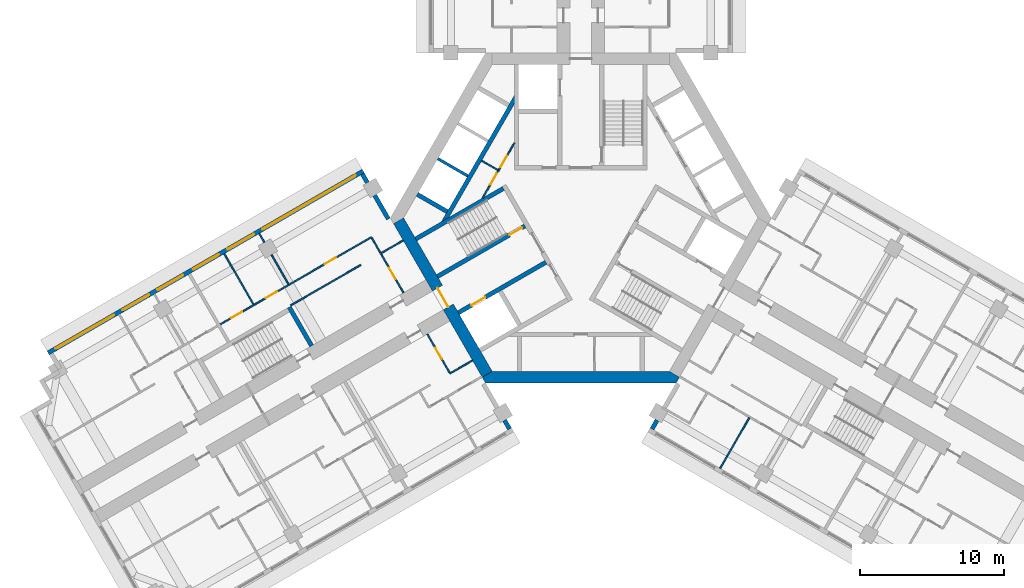
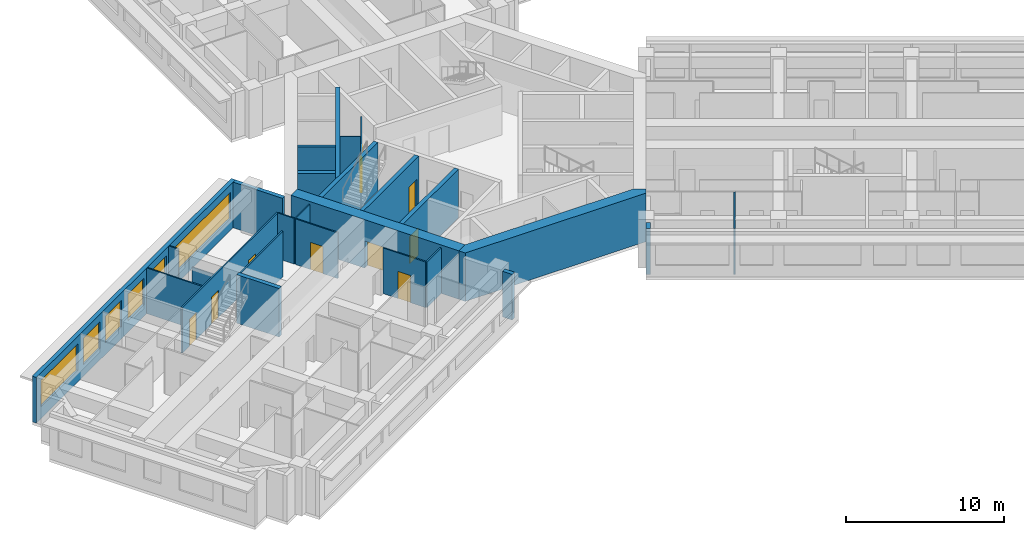
# One storey, part 4 of 12: 26 walls, 10 doors, 6 windows, 16 openings.
"""IFC4 building model written with IfcOpenShell, lengths in metres."""

from ifc_helpers import new_model, si_unit, direction, frame, frame_2d, origin, place, context, subcontext, project, spatial, polyline, rectangle, outline, extrude, material, layer, layer_set, type_object, element, fill, save


model = new_model("IFC4")

# Units and contexts
model_context = context("Model", 3, precision=1e-05, world=origin(), true_north=direction((0.0, 1.0)))
body_context = subcontext(model_context, "Body", "Model", "MODEL_VIEW")
ifc_project = project(units=[si_unit("LENGTHUNIT", "METRE"), si_unit("AREAUNIT", "SQUARE_METRE"), si_unit("VOLUMEUNIT", "CUBIC_METRE"), si_unit("PLANEANGLEUNIT", "RADIAN"), si_unit("MASSUNIT", "GRAM", prefix="KILO")], contexts=[model_context])

# Site, building, storey
site_placement = place(None, origin())
site = spatial("IfcSite", under=ifc_project, at=site_placement, CompositionType="ELEMENT")
building_placement = place(site_placement, origin())
building = spatial("IfcBuilding", under=site, at=building_placement, Name="Impinga Residences", CompositionType="ELEMENT")
storey_placement = place(building_placement, frame((0.0, 0.0, 173.5)))
storey = spatial("IfcBuildingStorey", under=building, at=storey_placement, Name="L43", CompositionType="ELEMENT", Elevation=173.5)

# Wall, openings, doors
ifc_material_1 = material(Name="Concrete blockwork", Category="masonry")
ifc_layer_1 = layer(ifc_material_1, 0.10009765625)
ifc_layer_set_1 = layer_set([ifc_layer_1], Name="CP1 core room partition, blockwork 100")
wall_type_1 = type_object("IfcWallType", Name="CP1 core room partition, blockwork 100", PredefinedType="PARTITIONING", material=ifc_layer_set_1)
wall_1_placement = place(storey_placement, frame((-6.799560546875, 1.385986328125, 0.0), z_axis=(0.0, 0.0, 1.0), x_axis=(0.500001098885, 0.866024769342, 0.0)))
wall_1 = element("IfcWall", 1, at=wall_1_placement, inside=storey, type_object=wall_type_1, Name="Core room partition, blockwork L43:CORE:high:FP", PredefinedType="PARTITIONING", context=body_context, shape_type="SweptSolid", body=[
    extrude(rectangle(XDim=4.39892578125, YDim=0.10009765625, at=frame_2d((2.199462890625, 0.0))), origin(), (0.0, 0.0, 1.0), 3.530029296875),
])
opening_1_placement = place(wall_1_placement, frame((1.049560546875, 0.0, 0.0)))
opening_1 = element("IfcOpeningElement", 2, at=opening_1_placement, cuts=wall_1, Name="Opening D6", PredefinedType="OPENING", context=body_context, shape_type="SweptSolid", body=[
    extrude(rectangle(XDim=0.89990234375, YDim=2.10009765625, at=frame_2d((0.449951171875, 1.050048828125))), frame((0.0, 0.06005859375, 0.0), z_axis=(0.0, -1.0, 0.0), x_axis=(1.0, 0.0, 0.0)), (0.0, 0.0, 1.0), 0.1201171875),
])
opening_2_placement = place(wall_1_placement, frame((2.449462890625, 0.0, 0.0)))
opening_2 = element("IfcOpeningElement", 3, at=opening_2_placement, cuts=wall_1, Name="Opening D6", PredefinedType="OPENING", context=body_context, shape_type="SweptSolid", body=[
    extrude(rectangle(XDim=0.89990234375, YDim=2.10009765625, at=frame_2d((0.449951171875, 1.050048828125))), frame((0.0, 0.06005859375, 0.0), z_axis=(0.0, -1.0, 0.0), x_axis=(1.0, 0.0, 0.0)), (0.0, 0.0, 1.0), 0.1201171875),
])
ifc_material_2 = material(Name="Timber door set", Category="wood")
door_type_1 = type_object("IfcDoorType", Name="D6 riser and store door 900x2100", OperationType="SINGLE_SWING_LEFT", PredefinedType="DOOR", material=ifc_material_2)
door_1_placement = place(opening_1_placement, origin())
door_1 = element("IfcDoor", 4, at=door_1_placement, inside=storey, type_object=door_type_1, Name="Cleaners' store door", OperationType="SINGLE_SWING_LEFT", OverallHeight=2.10009765625, OverallWidth=0.89990234375, PredefinedType="DOOR", context=body_context, shape_type="SweptSolid", body=[
    extrude(rectangle(XDim=0.89990234375, YDim=2.10009765625, at=frame_2d((0.449951171875, 1.050048828125))), frame((0.0, 0.02490234375, 0.0), z_axis=(0.0, -1.0, 0.0), x_axis=(1.0, 0.0, 0.0)), (0.0, 0.0, 1.0), 0.050048828125),
])
fill(opening_1, door_1)
door_2_placement = place(opening_2_placement, origin())
door_2 = element("IfcDoor", 5, at=door_2_placement, inside=storey, type_object=door_type_1, Name="Refuse room door", OperationType="SINGLE_SWING_RIGHT", OverallHeight=2.10009765625, OverallWidth=0.89990234375, PredefinedType="DOOR", context=body_context, shape_type="SweptSolid", body=[
    extrude(rectangle(XDim=0.89990234375, YDim=2.10009765625, at=frame_2d((0.449951171875, 1.050048828125))), frame((0.0, 0.02490234375, 0.0), z_axis=(0.0, -1.0, 0.0), x_axis=(1.0, 0.0, 0.0)), (0.0, 0.0, 1.0), 0.050048828125),
])
fill(opening_2, door_2)

# Wall
wall_2_placement = place(storey_placement, frame((-5.7431640625, 3.315673828125, 0.0), z_axis=(0.0, 0.0, 1.0), x_axis=(-0.86595725628, 0.500118016368, 0.0)))
element("IfcWall", 6, at=wall_2_placement, inside=storey, type_object=wall_type_1, Name="Core room partition, blockwork L43:CORE:high:FS", PredefinedType="PARTITIONING", context=body_context, shape_type="SweptSolid", body=[
    extrude(rectangle(XDim=1.300048828125, YDim=0.10009765625, at=frame_2d((0.64990234375, 0.0))), origin(), (0.0, 0.0, 1.0), 3.530029296875),
])

# Wall, openings, windows
ifc_material_3 = material(Name="Terracotta rainscreen on blockwork", Category="masonry")
ifc_layer_2 = layer(ifc_material_3, 0.300048828125)
ifc_layer_set_2 = layer_set([ifc_layer_2], Name="EW1 external wall, terracotta rainscreen on blockwork 300")
wall_type_2 = type_object("IfcWallType", Name="EW1 external wall, terracotta rainscreen on blockwork 300", PredefinedType="SOLIDWALL", material=ifc_layer_set_2)
wall_3_placement = place(storey_placement, frame((-36.89892578125, -9.352294921875, 0.0), z_axis=(0.0, 0.0, 1.0), x_axis=(0.86602925447, 0.499993330357, 0.0)))
wall_3 = element("IfcWall", 7, at=wall_3_placement, inside=storey, type_object=wall_type_2, Name="External wall EW1 L43", PredefinedType="SOLIDWALL", context=body_context, shape_type="SweptSolid", body=[
    extrude(rectangle(XDim=25.199951171875, YDim=0.300048828125, at=frame_2d((12.60009765625, 0.0))), origin(), (0.0, 0.0, 1.0), 3.530029296875),
])
opening_3_placement = place(wall_3_placement, frame((0.60009765625, 0.0, 0.89990234375)))
opening_3 = element("IfcOpeningElement", 8, at=opening_3_placement, cuts=wall_3, Name="Opening W10", PredefinedType="OPENING", context=body_context, shape_type="SweptSolid", body=[
    extrude(rectangle(XDim=4.64990234375, YDim=2.050048828125, at=frame_2d((2.324951171875, 1.02490234375))), frame((0.0, 0.159912109375, 0.0), z_axis=(0.0, -1.0, 0.0), x_axis=(1.0, 0.0, 0.0)), (0.0, 0.0, 1.0), 0.320068359375),
])
opening_4_placement = place(wall_3_placement, frame((5.949951171875, 0.0, 0.89990234375)))
opening_4 = element("IfcOpeningElement", 9, at=opening_4_placement, cuts=wall_3, Name="Opening W9", PredefinedType="OPENING", context=body_context, shape_type="SweptSolid", body=[
    extrude(rectangle(XDim=2.10009765625, YDim=2.050048828125, at=frame_2d((1.050048828125, 1.02490234375))), frame((0.0, 0.159912109375, 0.0), z_axis=(0.0, -1.0, 0.0), x_axis=(1.0, 0.0, 0.0)), (0.0, 0.0, 1.0), 0.320068359375),
])
opening_5_placement = place(wall_3_placement, frame((8.75, 0.0, 0.89990234375)))
opening_5 = element("IfcOpeningElement", 10, at=opening_5_placement, cuts=wall_3, Name="Opening W14", PredefinedType="OPENING", context=body_context, shape_type="SweptSolid", body=[
    extrude(rectangle(XDim=2.050048828125, YDim=2.050048828125, at=frame_2d((1.02490234375, 1.02490234375))), frame((0.0, 0.159912109375, 0.0), z_axis=(0.0, -1.0, 0.0), x_axis=(1.0, 0.0, 0.0)), (0.0, 0.0, 1.0), 0.320068359375),
])
opening_6_placement = place(wall_3_placement, frame((11.60009765625, 0.0, 0.89990234375)))
opening_6 = element("IfcOpeningElement", 11, at=opening_6_placement, cuts=wall_3, Name="Opening W14", PredefinedType="OPENING", context=body_context, shape_type="SweptSolid", body=[
    extrude(rectangle(XDim=2.050048828125, YDim=2.050048828125, at=frame_2d((1.02490234375, 1.02490234375))), frame((0.0, 0.159912109375, 0.0), z_axis=(0.0, -1.0, 0.0), x_axis=(1.0, 0.0, 0.0)), (0.0, 0.0, 1.0), 0.320068359375),
])
opening_7_placement = place(wall_3_placement, frame((14.35009765625, 0.0, 0.89990234375)))
opening_7 = element("IfcOpeningElement", 12, at=opening_7_placement, cuts=wall_3, Name="Opening W9", PredefinedType="OPENING", context=body_context, shape_type="SweptSolid", body=[
    extrude(rectangle(XDim=2.10009765625, YDim=2.050048828125, at=frame_2d((1.050048828125, 1.02490234375))), frame((0.0, 0.159912109375, 0.0), z_axis=(0.0, -1.0, 0.0), x_axis=(1.0, 0.0, 0.0)), (0.0, 0.0, 1.0), 0.320068359375),
])
opening_8_placement = place(wall_3_placement, frame((17.14990234375, 0.0, 0.89990234375)))
opening_8 = element("IfcOpeningElement", 13, at=opening_8_placement, cuts=wall_3, Name="Opening W7", PredefinedType="OPENING", context=body_context, shape_type="SweptSolid", body=[
    extrude(rectangle(XDim=7.449951171875, YDim=2.050048828125, at=frame_2d((3.72509765625, 1.02490234375))), frame((0.0, 0.159912109375, 0.0), z_axis=(0.0, -1.0, 0.0), x_axis=(1.0, 0.0, 0.0)), (0.0, 0.0, 1.0), 0.320068359375),
])
ifc_material_4 = material(Name="Aluminium window, clear double glazing", Category="aluminium")
window_type_1 = type_object("IfcWindowType", Name="W10 ribbon window 4650x2050", PartitioningType="SINGLE_PANEL", PredefinedType="WINDOW", material=ifc_material_4)
window_1_placement = place(opening_3_placement, origin())
window_1 = element("IfcWindow", 14, at=window_1_placement, inside=storey, type_object=window_type_1, Name="Window L43", OverallHeight=2.050048828125, OverallWidth=4.64990234375, PartitioningType="SINGLE_PANEL", PredefinedType="WINDOW", context=body_context, shape_type="SweptSolid", body=[
    extrude(rectangle(XDim=4.64990234375, YDim=2.050048828125, at=frame_2d((2.324951171875, 1.02490234375))), frame((0.0, 0.030029296875, 0.0), z_axis=(0.0, -1.0, 0.0), x_axis=(1.0, 0.0, 0.0)), (0.0, 0.0, 1.0), 0.06005859375),
])
fill(opening_3, window_1)
window_type_2 = type_object("IfcWindowType", Name="W14 ribbon window 2050x2050", PartitioningType="SINGLE_PANEL", PredefinedType="WINDOW", material=ifc_material_4)
window_2_placement = place(opening_5_placement, origin())
window_2 = element("IfcWindow", 15, at=window_2_placement, inside=storey, type_object=window_type_2, Name="Window L43", OverallHeight=2.050048828125, OverallWidth=2.050048828125, PartitioningType="SINGLE_PANEL", PredefinedType="WINDOW", context=body_context, shape_type="SweptSolid", body=[
    extrude(rectangle(XDim=2.050048828125, YDim=2.050048828125, at=frame_2d((1.02490234375, 1.02490234375))), frame((0.0, 0.030029296875, 0.0), z_axis=(0.0, -1.0, 0.0), x_axis=(1.0, 0.0, 0.0)), (0.0, 0.0, 1.0), 0.06005859375),
])
fill(opening_5, window_2)
window_3_placement = place(opening_6_placement, origin())
window_3 = element("IfcWindow", 16, at=window_3_placement, inside=storey, type_object=window_type_2, Name="Window L43", OverallHeight=2.050048828125, OverallWidth=2.050048828125, PartitioningType="SINGLE_PANEL", PredefinedType="WINDOW", context=body_context, shape_type="SweptSolid", body=[
    extrude(rectangle(XDim=2.050048828125, YDim=2.050048828125, at=frame_2d((1.02490234375, 1.02490234375))), frame((0.0, 0.030029296875, 0.0), z_axis=(0.0, -1.0, 0.0), x_axis=(1.0, 0.0, 0.0)), (0.0, 0.0, 1.0), 0.06005859375),
])
fill(opening_6, window_3)
window_type_3 = type_object("IfcWindowType", Name="W7 ribbon window 7450x2050", PartitioningType="SINGLE_PANEL", PredefinedType="WINDOW", material=ifc_material_4)
window_4_placement = place(opening_8_placement, origin())
window_4 = element("IfcWindow", 17, at=window_4_placement, inside=storey, type_object=window_type_3, Name="Window L43", OverallHeight=2.050048828125, OverallWidth=7.449951171875, PartitioningType="SINGLE_PANEL", PredefinedType="WINDOW", context=body_context, shape_type="SweptSolid", body=[
    extrude(rectangle(XDim=7.449951171875, YDim=2.050048828125, at=frame_2d((3.72509765625, 1.02490234375))), frame((0.0, 0.030029296875, 0.0), z_axis=(0.0, -1.0, 0.0), x_axis=(1.0, 0.0, 0.0)), (0.0, 0.0, 1.0), 0.06005859375),
])
fill(opening_8, window_4)
window_type_4 = type_object("IfcWindowType", Name="W9 ribbon window 2100x2050", PartitioningType="SINGLE_PANEL", PredefinedType="WINDOW", material=ifc_material_4)
window_5_placement = place(opening_4_placement, origin())
window_5 = element("IfcWindow", 18, at=window_5_placement, inside=storey, type_object=window_type_4, Name="Window L43", OverallHeight=2.050048828125, OverallWidth=2.10009765625, PartitioningType="SINGLE_PANEL", PredefinedType="WINDOW", context=body_context, shape_type="SweptSolid", body=[
    extrude(rectangle(XDim=2.10009765625, YDim=2.050048828125, at=frame_2d((1.050048828125, 1.02490234375))), frame((0.0, 0.030029296875, 0.0), z_axis=(0.0, -1.0, 0.0), x_axis=(1.0, 0.0, 0.0)), (0.0, 0.0, 1.0), 0.06005859375),
])
fill(opening_4, window_5)
window_6_placement = place(opening_7_placement, origin())
window_6 = element("IfcWindow", 19, at=window_6_placement, inside=storey, type_object=window_type_4, Name="Window L43", OverallHeight=2.050048828125, OverallWidth=2.10009765625, PartitioningType="SINGLE_PANEL", PredefinedType="WINDOW", context=body_context, shape_type="SweptSolid", body=[
    extrude(rectangle(XDim=2.10009765625, YDim=2.050048828125, at=frame_2d((1.050048828125, 1.02490234375))), frame((0.0, 0.030029296875, 0.0), z_axis=(0.0, -1.0, 0.0), x_axis=(1.0, 0.0, 0.0)), (0.0, 0.0, 1.0), 0.06005859375),
])
fill(opening_7, window_6)

# Walls
wall_4_placement = place(storey_placement, frame((-15.1298828125, 3.042724609375, 0.0), z_axis=(0.0, 0.0, 1.0), x_axis=(0.500012057535, -0.866018442252, 0.0)))
element("IfcWall", 20, at=wall_4_placement, inside=storey, type_object=wall_type_2, Name="External wall EW1 L43", PredefinedType="SOLIDWALL", context=body_context, shape_type="SweptSolid", body=[
    extrude(rectangle(XDim=3.60009765625, YDim=0.300048828125, at=frame_2d((1.800048828125, 0.0))), origin(), (0.0, 0.0, 1.0), 3.530029296875),
])
for number, where, z_axis, x_axis, name in (
    (21, (4.929931640625, -14.624267578125, 0.0), (0.0, 0.0, 1.0), (0.499853302173, 0.866110083249, 0.0), "External wall EW1 L43"),
    (22, (-5.27978515625, -14.01806640625, 0.0), (0.0, 0.0, 1.0), (0.499853302173, -0.866110083249, 0.0), "External wall EW1 L43"),
):
    element("IfcWall", number, at=place(storey_placement, frame(where, z_axis=z_axis, x_axis=x_axis)), inside=storey, type_object=wall_type_2, Name=name, PredefinedType="SOLIDWALL", context=body_context, shape_type="SweptSolid", body=[
        extrude(rectangle(XDim=0.699951171875, YDim=0.300048828125, at=frame_2d((0.35009765625, 0.0))), origin(), (0.0, 0.0, 1.0), 3.530029296875),
    ])
ifc_material_5 = material(Name="Gypsum board on steel studs", Category="steel")
ifc_layer_3 = layer(ifc_material_5, 0.10009765625)
ifc_layer_set_3 = layer_set([ifc_layer_3], Name="Gypsum board on steel studs")
wall_type_3 = type_object("IfcWallType", Name="IP1 partition 100", PredefinedType="PARTITIONING", material=ifc_layer_set_3)
wall_5_placement = place(storey_placement, frame((-7.5, -9.872802734375, 0.0), z_axis=(0.0, 0.0, 1.0), x_axis=(-0.866047807691, -0.499961193289, 0.0)))
element("IfcWall", 23, at=wall_5_placement, inside=storey, type_object=wall_type_3, Name="Partition L43-WA1:DIV0", PredefinedType="PARTITIONING", context=body_context, shape_type="SweptSolid", body=[
    extrude(rectangle(XDim=1.800048828125, YDim=0.10009765625, at=frame_2d((0.89990234375, 0.0))), origin(), (0.0, 0.0, 1.0), 3.530029296875),
])

# Wall, opening, door
wall_6_placement = place(storey_placement, frame((-10.6337890625, -8.044677734375, 0.0), z_axis=(0.0, 0.0, 1.0), x_axis=(0.49999285859, -0.86602952684, 0.0)))
wall_6 = element("IfcWall", 24, at=wall_6_placement, inside=storey, type_object=wall_type_3, Name="Partition L43-WA1:IB1", PredefinedType="PARTITIONING", context=body_context, shape_type="SweptSolid", body=[
    extrude(rectangle(XDim=3.10009765625, YDim=0.10009765625, at=frame_2d((1.550048828125, 0.0))), origin(), (0.0, 0.0, 1.0), 3.530029296875),
])
opening_9_placement = place(wall_6_placement, frame((1.10009765625, 0.0, 0.0)))
opening_9 = element("IfcOpeningElement", 25, at=opening_9_placement, cuts=wall_6, Name="Opening D2", PredefinedType="OPENING", context=body_context, shape_type="SweptSolid", body=[
    extrude(rectangle(XDim=0.89990234375, YDim=2.10009765625, at=frame_2d((0.449951171875, 1.050048828125))), frame((0.0, 0.06005859375, 0.0), z_axis=(0.0, -1.0, 0.0), x_axis=(1.0, 0.0, 0.0)), (0.0, 0.0, 1.0), 0.1201171875),
])
door_type_2 = type_object("IfcDoorType", Name="D2 internal door 900x2100", OperationType="SINGLE_SWING_LEFT", PredefinedType="DOOR", material=ifc_material_2)
door_3_placement = place(opening_9_placement, origin())
door_3 = element("IfcDoor", 26, at=door_3_placement, inside=storey, type_object=door_type_2, Name="Apartment L43-WA1 bathroom door", OperationType="SINGLE_SWING_LEFT", OverallHeight=2.10009765625, OverallWidth=0.89990234375, PredefinedType="DOOR", context=body_context, shape_type="SweptSolid", body=[
    extrude(rectangle(XDim=0.89990234375, YDim=2.10009765625, at=frame_2d((0.449951171875, 1.050048828125))), frame((0.0, 0.02490234375, 0.0), z_axis=(0.0, -1.0, 0.0), x_axis=(1.0, 0.0, 0.0)), (0.0, 0.0, 1.0), 0.050048828125),
])
fill(opening_9, door_3)

# Walls
wall_7_placement = place(storey_placement, frame((-12.300048828125, -1.558837890625, 0.0), z_axis=(0.0, 0.0, 1.0), x_axis=(-0.866047807691, -0.499961193289, 0.0)))
element("IfcWall", 27, at=wall_7_placement, inside=storey, type_object=wall_type_3, Name="Partition L43-WF1:DIV0", PredefinedType="PARTITIONING", context=body_context, shape_type="SweptSolid", body=[
    extrude(rectangle(XDim=1.800048828125, YDim=0.10009765625, at=frame_2d((0.89990234375, 0.0))), origin(), (0.0, 0.0, 1.0), 3.530029296875),
])
wall_8_placement = place(storey_placement, frame((-15.244384765625, -3.2587890625, 0.0), z_axis=(0.0, 0.0, 1.0), x_axis=(-0.866026594901, -0.49999793692, 0.0)))
element("IfcWall", 28, at=wall_8_placement, inside=storey, type_object=wall_type_3, Name="Partition L43-WF1:DIV1", PredefinedType="PARTITIONING", context=body_context, shape_type="SweptSolid", body=[
    extrude(rectangle(XDim=5.60009765625, YDim=0.10009765625, at=frame_2d((2.800048828125, 0.0))), origin(), (0.0, 0.0, 1.0), 3.530029296875),
])

# Wall, openings, doors
wall_9_placement = place(storey_placement, frame((-14.5087890625, -1.3330078125, 0.0), z_axis=(0.0, 0.0, 1.0), x_axis=(-0.866025650635, -0.499999572443, 0.0)))
wall_9 = element("IfcWall", 29, at=wall_9_placement, inside=storey, type_object=wall_type_3, Name="Partition L43-WF1:STRIP", PredefinedType="PARTITIONING", context=body_context, shape_type="SweptSolid", body=[
    extrude(rectangle(XDim=12.10009765625, YDim=0.10009765625, at=frame_2d((6.050048828125, 0.0))), origin(), (0.0, 0.0, 1.0), 3.530029296875),
])
opening_10_placement = place(wall_9_placement, frame((2.824951171875, 0.0, 0.0)))
opening_10 = element("IfcOpeningElement", 30, at=opening_10_placement, cuts=wall_9, Name="Opening D2", PredefinedType="OPENING", context=body_context, shape_type="SweptSolid", body=[
    extrude(rectangle(XDim=0.89990234375, YDim=2.10009765625, at=frame_2d((0.449951171875, 1.050048828125))), frame((0.0, 0.06005859375, 0.0), z_axis=(0.0, -1.0, 0.0), x_axis=(1.0, 0.0, 0.0)), (0.0, 0.0, 1.0), 0.1201171875),
])
opening_11_placement = place(wall_9_placement, frame((7.550048828125, 0.0, 0.0)))
opening_11 = element("IfcOpeningElement", 31, at=opening_11_placement, cuts=wall_9, Name="Opening D2", PredefinedType="OPENING", context=body_context, shape_type="SweptSolid", body=[
    extrude(rectangle(XDim=0.89990234375, YDim=2.10009765625, at=frame_2d((0.449951171875, 1.050048828125))), frame((0.0, 0.06005859375, 0.0), z_axis=(0.0, -1.0, 0.0), x_axis=(1.0, 0.0, 0.0)), (0.0, 0.0, 1.0), 0.1201171875),
])
opening_12_placement = place(wall_9_placement, frame((10.324951171875, 0.0, 0.0)))
opening_12 = element("IfcOpeningElement", 32, at=opening_12_placement, cuts=wall_9, Name="Opening D2", PredefinedType="OPENING", context=body_context, shape_type="SweptSolid", body=[
    extrude(rectangle(XDim=0.89990234375, YDim=2.10009765625, at=frame_2d((0.449951171875, 1.050048828125))), frame((0.0, 0.06005859375, 0.0), z_axis=(0.0, -1.0, 0.0), x_axis=(1.0, 0.0, 0.0)), (0.0, 0.0, 1.0), 0.1201171875),
])
door_4_placement = place(opening_10_placement, origin())
door_4 = element("IfcDoor", 33, at=door_4_placement, inside=storey, type_object=door_type_2, Name="Apartment L43-WF1 room door", OperationType="SINGLE_SWING_LEFT", OverallHeight=2.10009765625, OverallWidth=0.89990234375, PredefinedType="DOOR", context=body_context, shape_type="SweptSolid", body=[
    extrude(rectangle(XDim=0.89990234375, YDim=2.10009765625, at=frame_2d((0.449951171875, 1.050048828125))), frame((0.0, 0.02490234375, 0.0), z_axis=(0.0, -1.0, 0.0), x_axis=(1.0, 0.0, 0.0)), (0.0, 0.0, 1.0), 0.050048828125),
])
fill(opening_10, door_4)
door_5_placement = place(opening_11_placement, origin())
door_5 = element("IfcDoor", 34, at=door_5_placement, inside=storey, type_object=door_type_2, Name="Apartment L43-WF1 room door", OperationType="SINGLE_SWING_RIGHT", OverallHeight=2.10009765625, OverallWidth=0.89990234375, PredefinedType="DOOR", context=body_context, shape_type="SweptSolid", body=[
    extrude(rectangle(XDim=0.89990234375, YDim=2.10009765625, at=frame_2d((0.449951171875, 1.050048828125))), frame((0.0, 0.02490234375, 0.0), z_axis=(0.0, -1.0, 0.0), x_axis=(1.0, 0.0, 0.0)), (0.0, 0.0, 1.0), 0.050048828125),
])
fill(opening_11, door_5)
door_6_placement = place(opening_12_placement, origin())
door_6 = element("IfcDoor", 35, at=door_6_placement, inside=storey, type_object=door_type_2, Name="Apartment L43-WF1 room door", OperationType="SINGLE_SWING_RIGHT", OverallHeight=2.10009765625, OverallWidth=0.89990234375, PredefinedType="DOOR", context=body_context, shape_type="SweptSolid", body=[
    extrude(rectangle(XDim=0.89990234375, YDim=2.10009765625, at=frame_2d((0.449951171875, 1.050048828125))), frame((0.0, 0.02490234375, 0.0), z_axis=(0.0, -1.0, 0.0), x_axis=(1.0, 0.0, 0.0)), (0.0, 0.0, 1.0), 0.050048828125),
])
fill(opening_12, door_6)

# Wall
wall_10_placement = place(storey_placement, frame((-13.8837890625, -2.41552734375, 0.0), z_axis=(0.0, 0.0, 1.0), x_axis=(-0.500033551112, 0.866006032174, 0.0)))
element("IfcWall", 36, at=wall_10_placement, inside=storey, type_object=wall_type_3, Name="Partition L43-WF1:SE0", PredefinedType="PARTITIONING", context=body_context, shape_type="SweptSolid", body=[
    extrude(rectangle(XDim=1.2001953125, YDim=0.10009765625, at=frame_2d((0.60009765625, 0.0))), origin(), (0.0, 0.0, 1.0), 3.530029296875),
])

# Wall, opening, door
wall_11_placement = place(storey_placement, frame((-12.283935546875, -5.186767578125, 0.0), z_axis=(0.0, 0.0, 1.0), x_axis=(-0.499967891604, 0.866043940782, 0.0)))
wall_11 = element("IfcWall", 37, at=wall_11_placement, inside=storey, type_object=wall_type_3, Name="Partition L43-WF1:IB1", PredefinedType="PARTITIONING", context=body_context, shape_type="SweptSolid", body=[
    extrude(rectangle(XDim=3.099853515625, YDim=0.10009765625, at=frame_2d((1.5498046875, 0.0))), origin(), (0.0, 0.0, 1.0), 3.530029296875),
])
opening_13_placement = place(wall_11_placement, frame((1.10009765625, 0.0, 0.0)))
opening_13 = element("IfcOpeningElement", 38, at=opening_13_placement, cuts=wall_11, Name="Opening D2", PredefinedType="OPENING", context=body_context, shape_type="SweptSolid", body=[
    extrude(rectangle(XDim=0.89990234375, YDim=2.10009765625, at=frame_2d((0.449951171875, 1.050048828125))), frame((0.0, 0.06005859375, 0.0), z_axis=(0.0, -1.0, 0.0), x_axis=(1.0, 0.0, 0.0)), (0.0, 0.0, 1.0), 0.1201171875),
])
door_7_placement = place(opening_13_placement, origin())
door_7 = element("IfcDoor", 39, at=door_7_placement, inside=storey, type_object=door_type_2, Name="Apartment L43-WF1 bathroom door", OperationType="SINGLE_SWING_LEFT", OverallHeight=2.10009765625, OverallWidth=0.89990234375, PredefinedType="DOOR", context=body_context, shape_type="SweptSolid", body=[
    extrude(rectangle(XDim=0.89990234375, YDim=2.10009765625, at=frame_2d((0.449951171875, 1.050048828125))), frame((0.0, 0.02490234375, 0.0), z_axis=(0.0, -1.0, 0.0), x_axis=(1.0, 0.0, 0.0)), (0.0, 0.0, 1.0), 0.050048828125),
])
fill(opening_13, door_7)

# Walls
wall_12_placement = place(storey_placement, frame((-20.24951171875, -4.589599609375, 0.0), z_axis=(0.0, 0.0, 1.0), x_axis=(-0.500016218704, 0.866016039709, 0.0)))
element("IfcWall", 40, at=wall_12_placement, inside=storey, type_object=wall_type_3, Name="Partition L43-WF1:OB1", PredefinedType="PARTITIONING", context=body_context, shape_type="SweptSolid", body=[
    extrude(rectangle(XDim=2.35009765625, YDim=0.10009765625, at=frame_2d((1.175048828125, 0.0))), origin(), (0.0, 0.0, 1.0), 2.47998046875),
])
wall_13_placement = place(storey_placement, frame((-21.924560546875, -1.6884765625, 0.0), z_axis=(0.0, 0.0, 1.0), x_axis=(-0.500114896893, 0.865959057869, 0.0)))
element("IfcWall", 41, at=wall_13_placement, inside=storey, type_object=wall_type_3, Name="Partition L43-WF1:OB1b", PredefinedType="PARTITIONING", context=body_context, shape_type="SweptSolid", body=[
    extrude(rectangle(XDim=0.699951171875, YDim=0.10009765625, at=frame_2d((0.35009765625, 0.0))), origin(), (0.0, 0.0, 1.0), 3.530029296875),
])
wall_14_placement = place(storey_placement, frame((-22.674560546875, -5.98974609375, 0.0), z_axis=(0.0, 0.0, 1.0), x_axis=(-0.499990325971, 0.866030989016, 0.0)))
element("IfcWall", 42, at=wall_14_placement, inside=storey, type_object=wall_type_3, Name="Partition L43-WF1:OB2", PredefinedType="PARTITIONING", context=body_context, shape_type="SweptSolid", body=[
    extrude(rectangle(XDim=4.0498046875, YDim=0.10009765625, at=frame_2d((2.02490234375, 0.0))), origin(), (0.0, 0.0, 1.0), 3.530029296875),
])
wall_15_placement = place(storey_placement, frame((11.6748046875, -13.841796875, 0.0), z_axis=(0.0, 0.0, 1.0), x_axis=(-0.500035537042, -0.866004885491, 0.0)))
element("IfcWall", 43, at=wall_15_placement, inside=storey, type_object=wall_type_3, Name="Partition L43-EF1:OB1", PredefinedType="PARTITIONING", context=body_context, shape_type="SweptSolid", body=[
    extrude(rectangle(XDim=4.050048828125, YDim=0.10009765625, at=frame_2d((2.02490234375, 0.0))), origin(), (0.0, 0.0, 1.0), 3.530029296875),
])
ifc_material_6 = material(Name="Concrete C60/75", Category="concrete")
ifc_layer_4 = layer(ifc_material_6, 0.300048828125)
ifc_layer_set_4 = layer_set([ifc_layer_4], Name="Concrete C60/75")
wall_type_4 = type_object("IfcWallType", Name="SE1 wing stair enclosure wall 300", PredefinedType="SOLIDWALL", material=ifc_layer_set_4)
wall_16_placement = place(storey_placement, frame((-18.649169921875, -8.86181640625, 0.0), z_axis=(0.0, 0.0, 1.0), x_axis=(-0.500026960575, 0.86600983753, 0.0)))
element("IfcWall", 44, at=wall_16_placement, inside=storey, type_object=wall_type_4, Name="Stair enclosure wall SE1 W END0 L43", PredefinedType="SOLIDWALL", context=body_context, shape_type="SweptSolid", body=[
    extrude(rectangle(XDim=3.099853515625, YDim=0.300048828125, at=frame_2d((1.5498046875, 0.0))), origin(), (0.0, 0.0, 1.0), 3.75),
])

# Wall, opening, door
ifc_layer_5 = layer(ifc_material_6, 0.800048828125)
ifc_layer_set_5 = layer_set([ifc_layer_5], Name="Concrete C60/75")
wall_type_5 = type_object("IfcWallType", Name="SW2 core wall 800", PredefinedType="SHEAR", material=ifc_layer_set_5)
wall_17_placement = place(storey_placement, frame((-6.484619140625, -10.83154296875, 0.0), z_axis=(0.0, 0.0, 1.0), x_axis=(-0.499986991068, 0.866032914365, 0.0)))
wall_17 = element("IfcWall", 45, at=wall_17_placement, inside=storey, type_object=wall_type_5, Name="Core wall SW2 W:FACE L43", PredefinedType="SHEAR", context=body_context, shape_type="SweptSolid", body=[
    extrude(rectangle(XDim=12.276123046875, YDim=0.800048828125, at=frame_2d((6.13818359375, 0.0))), origin(), (0.0, 0.0, 1.0), 3.75),
])
opening_14_placement = place(wall_17_placement, frame((5.38818359375, 0.0, 0.0)))
opening_14 = element("IfcOpeningElement", 46, at=opening_14_placement, cuts=wall_17, Name="Opening D4", PredefinedType="OPENING", context=body_context, shape_type="SweptSolid", body=[
    extrude(rectangle(XDim=1.5, YDim=2.10009765625, at=frame_2d((0.75, 1.050048828125))), frame((0.0, 0.409912109375, 0.0), z_axis=(0.0, -1.0, 0.0), x_axis=(1.0, 0.0, 0.0)), (0.0, 0.0, 1.0), 0.820068359375),
])
door_type_3 = type_object("IfcDoorType", Name="D4 lobby door pair 1500x2100", OperationType="DOUBLE_DOOR_DOUBLE_SWING", PredefinedType="DOOR", material=ifc_material_2)
door_8_placement = place(opening_14_placement, origin())
door_8 = element("IfcDoor", 47, at=door_8_placement, inside=storey, type_object=door_type_3, Name="Lobby door W", OperationType="DOUBLE_DOOR_DOUBLE_SWING", OverallHeight=2.10009765625, OverallWidth=1.5, PredefinedType="DOOR", context=body_context, shape_type="SweptSolid", body=[
    extrude(rectangle(XDim=1.5, YDim=2.10009765625, at=frame_2d((0.75, 1.050048828125))), frame((0.0, 0.02490234375, 0.0), z_axis=(0.0, -1.0, 0.0), x_axis=(1.0, 0.0, 0.0)), (0.0, 0.0, 1.0), 0.050048828125),
])
fill(opening_14, door_8)

# Wall
wall_18_placement = place(storey_placement, origin())
element("IfcWall", 48, at=wall_18_placement, inside=storey, type_object=wall_type_5, Name="Core wall SW2 N:EXPOSED L43", PredefinedType="SHEAR", context=body_context, shape_type="SweptSolid", body=[
    extrude(outline(polyline([(-6.60009765625, -11.431640625), (6.60009765625, -11.431640625), (6.8310546875, -11.031494140625), (6.13818359375, -10.631591796875), (-6.13818359375, -10.631591796875), (-6.8310546875, -11.031494140625), (-6.60009765625, -11.431640625)])), origin(), (0.0, 0.0, 1.0), 3.75),
])

# Wall, opening, door
ifc_material_7 = material(Name="Concrete C70/85", Category="concrete")
ifc_layer_6 = layer(ifc_material_7, 0.300048828125)
ifc_layer_set_6 = layer_set([ifc_layer_6], Name="Concrete C70/85")
wall_type_6 = type_object("IfcWallType", Name="SW5 core inner wall, stairs, shafts and lobbies 300", PredefinedType="SHEAR", material=ifc_layer_set_6)
wall_19_placement = place(storey_placement, frame((-3.86865234375, -0.559326171875, 0.0), z_axis=(0.0, 0.0, 1.0), x_axis=(-0.866026480128, -0.499998135713, 0.0)))
wall_19 = element("IfcWall", 49, at=wall_19_placement, inside=storey, type_object=wall_type_6, Name="Core wall SW5 W:ST-IN L43", PredefinedType="SHEAR", context=body_context, shape_type="SweptSolid", body=[
    extrude(rectangle(XDim=7.00146484375, YDim=0.300048828125, at=frame_2d((3.500732421875, 0.0))), origin(), (0.0, 0.0, 1.0), 3.75),
])
opening_15_placement = place(wall_19_placement, frame((0.25, 0.0, 0.0)))
opening_15 = element("IfcOpeningElement", 50, at=opening_15_placement, cuts=wall_19, Name="Opening D5", PredefinedType="OPENING", context=body_context, shape_type="SweptSolid", body=[
    extrude(rectangle(XDim=1.0, YDim=2.10009765625, at=frame_2d((0.5, 1.050048828125))), frame((0.0, 0.159912109375, 0.0), z_axis=(0.0, -1.0, 0.0), x_axis=(1.0, 0.0, 0.0)), (0.0, 0.0, 1.0), 0.320068359375),
])
door_type_4 = type_object("IfcDoorType", Name="D5 stair door 1000x2100", OperationType="SINGLE_SWING_LEFT", PredefinedType="DOOR", material=ifc_material_2)
door_9_placement = place(opening_15_placement, origin())
door_9 = element("IfcDoor", 51, at=door_9_placement, inside=storey, type_object=door_type_4, Name="Stair door W", OperationType="SINGLE_SWING_LEFT", OverallHeight=2.10009765625, OverallWidth=1.0, PredefinedType="DOOR", context=body_context, shape_type="SweptSolid", body=[
    extrude(rectangle(XDim=1.0, YDim=2.10009765625, at=frame_2d((0.5, 1.050048828125))), frame((0.0, 0.02490234375, 0.0), z_axis=(0.0, -1.0, 0.0), x_axis=(1.0, 0.0, 0.0)), (0.0, 0.0, 1.0), 0.050048828125),
])
fill(opening_15, door_9)

# Wall
wall_20_placement = place(storey_placement, frame((-5.36865234375, 2.038818359375, 0.0), z_axis=(0.0, 0.0, 1.0), x_axis=(-0.866026480128, -0.499998135713, 0.0)))
element("IfcWall", 52, at=wall_20_placement, inside=storey, type_object=wall_type_6, Name="Core wall SW5 W:ST-OUT L43", PredefinedType="SHEAR", context=body_context, shape_type="SweptSolid", body=[
    extrude(rectangle(XDim=7.00146484375, YDim=0.300048828125, at=frame_2d((3.500732421875, 0.0))), origin(), (0.0, 0.0, 1.0), 3.75),
])

# Wall, opening, door
wall_21_placement = place(storey_placement, frame((-2.418701171875, -3.07080078125, 0.0), z_axis=(0.0, 0.0, 1.0), x_axis=(-0.866026480128, -0.499998135713, 0.0)))
wall_21 = element("IfcWall", 53, at=wall_21_placement, inside=storey, type_object=wall_type_6, Name="Core wall SW5 W:FF-IN L43", PredefinedType="SHEAR", context=body_context, shape_type="SweptSolid", body=[
    extrude(rectangle(XDim=7.00146484375, YDim=0.300048828125, at=frame_2d((3.500732421875, 0.0))), origin(), (0.0, 0.0, 1.0), 3.75),
])
opening_16_placement = place(wall_21_placement, frame((4.85009765625, 0.0, 0.0)))
opening_16 = element("IfcOpeningElement", 54, at=opening_16_placement, cuts=wall_21, Name="Opening LD2", PredefinedType="OPENING", context=body_context, shape_type="SweptSolid", body=[
    extrude(rectangle(XDim=1.10009765625, YDim=2.10009765625, at=frame_2d((0.550048828125, 1.050048828125))), frame((0.0, 0.159912109375, 0.0), z_axis=(0.0, -1.0, 0.0), x_axis=(1.0, 0.0, 0.0)), (0.0, 0.0, 1.0), 0.320068359375),
])
ifc_material_8 = material(Name="Steel lift landing door", Category="steel")
door_type_5 = type_object("IfcDoorType", Name="LD2 firefighting lift landing door 1100x2100", OperationType="DOUBLE_DOOR_SLIDING", PredefinedType="DOOR", material=ifc_material_8)
door_10_placement = place(opening_16_placement, origin())
door_10 = element("IfcDoor", 55, at=door_10_placement, inside=storey, type_object=door_type_5, Name="Firefighting lift landing door F2", OperationType="DOUBLE_DOOR_SLIDING", OverallHeight=2.10009765625, OverallWidth=1.10009765625, PredefinedType="DOOR", context=body_context, shape_type="SweptSolid", body=[
    extrude(rectangle(XDim=1.10009765625, YDim=2.10009765625, at=frame_2d((0.550048828125, 1.050048828125))), frame((0.0, 0.02490234375, 0.0), z_axis=(0.0, -1.0, 0.0), x_axis=(1.0, 0.0, 0.0)), (0.0, 0.0, 1.0), 0.050048828125),
])
fill(opening_16, door_10)

# Walls
wall_22_placement = place(storey_placement, frame((-9.547607421875, -0.3740234375, 0.0), z_axis=(0.0, 0.0, 1.0), x_axis=(0.500002290144, 0.866024081565, 0.0)))
element("IfcWall", 56, at=wall_22_placement, inside=storey, type_object=wall_type_6, Name="Core wall SW5 E:BANK-FRONT L43", PredefinedType="SHEAR", context=body_context, shape_type="SweptSolid", body=[
    extrude(rectangle(XDim=10.1953125, YDim=0.300048828125, at=frame_2d((5.09765625, 0.0))), origin(), (0.0, 0.0, 1.0), 3.75),
])
wall_23_placement = place(storey_placement, frame((-9.253662109375, 0.43505859375, 0.0), z_axis=(0.0, 0.0, 1.0), x_axis=(-0.866006032174, 0.500033551112, 0.0)))
element("IfcWall", 57, at=wall_23_placement, inside=storey, type_object=wall_type_6, Name="Core wall SW5 E:BANK-L L43", PredefinedType="SHEAR", context=body_context, shape_type="SweptSolid", body=[
    extrude(rectangle(XDim=2.400146484375, YDim=0.300048828125, at=frame_2d((1.2001953125, 0.0))), origin(), (0.0, 0.0, 1.0), 3.75),
])
ifc_layer_7 = layer(ifc_material_7, 0.199951171875)
ifc_layer_set_7 = layer_set([ifc_layer_7], Name="Concrete C70/85")
wall_type_7 = type_object("IfcWallType", Name="SW6 lift shaft divider wall 200", PredefinedType="SHEAR", material=ifc_layer_set_7)
wall_24_placement = place(storey_placement, frame((-7.82861328125, 2.9033203125, 0.0), z_axis=(0.0, 0.0, 1.0), x_axis=(-0.866050077142, 0.499957262057, 0.0)))
element("IfcWall", 58, at=wall_24_placement, inside=storey, type_object=wall_type_7, Name="Core wall SW6 E:BANK-D1 L43", PredefinedType="SHEAR", context=body_context, shape_type="SweptSolid", body=[
    extrude(rectangle(XDim=2.400146484375, YDim=0.199951171875, at=frame_2d((1.2001953125, 0.0))), origin(), (0.0, 0.0, 1.0), 3.75),
])

save(model, "model.ifc")
